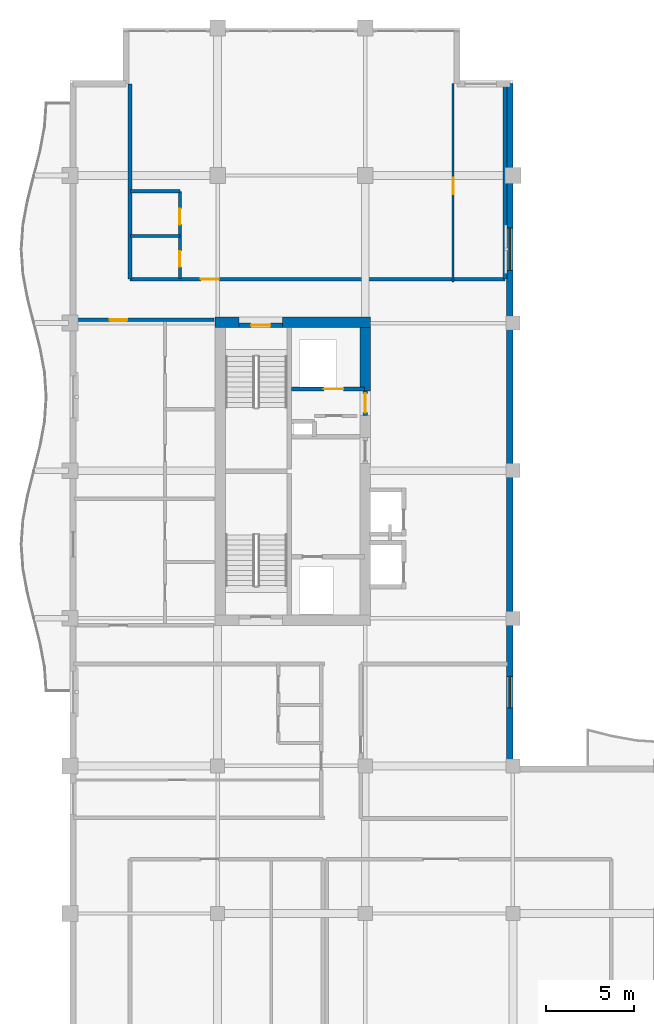
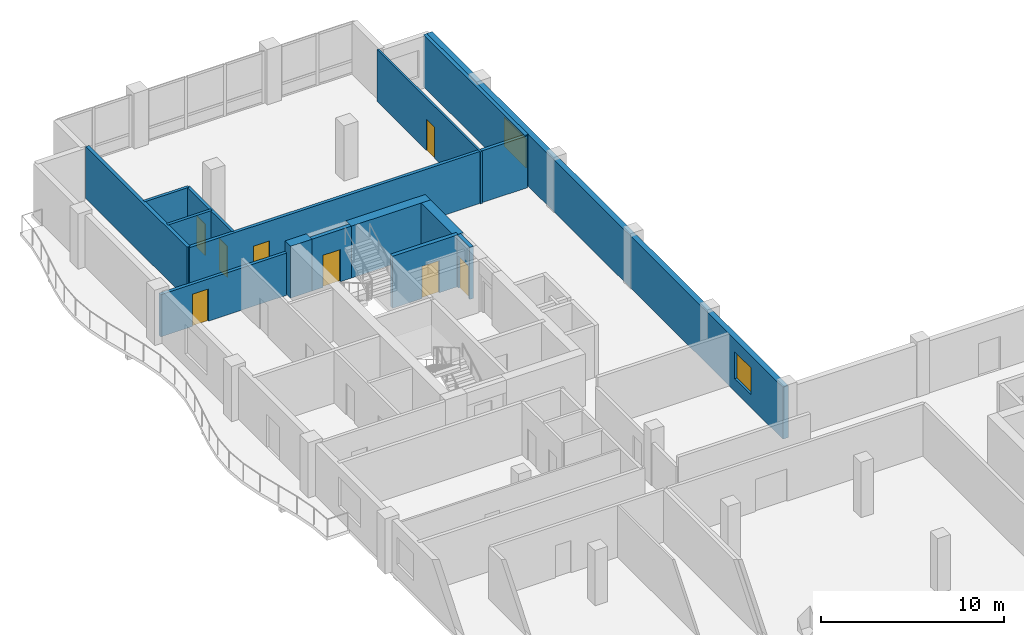
# One storey, part 10 of 16: 15 walls, 8 doors, 2 windows, 10 openings.
"""IFC4 building model written with IfcOpenShell, lengths in metres."""

from ifc_helpers import new_model, si_unit, direction, frame, frame_2d, origin, place, context, subcontext, project, spatial, rectangle, extrude, material, layer, layer_set, type_object, element, fill, save


model = new_model("IFC4")

# Units and contexts
model_context = context("Model", 3, precision=1e-05, world=origin(), true_north=direction((0.0, 1.0)))
body_context = subcontext(model_context, "Body", "Model", "MODEL_VIEW")
ifc_project = project(units=[si_unit("LENGTHUNIT", "METRE"), si_unit("AREAUNIT", "SQUARE_METRE"), si_unit("VOLUMEUNIT", "CUBIC_METRE"), si_unit("PLANEANGLEUNIT", "RADIAN"), si_unit("MASSUNIT", "GRAM", prefix="KILO")], contexts=[model_context])

# Site, building, storey
site_placement = place(None, origin())
site = spatial("IfcSite", under=ifc_project, at=site_placement, CompositionType="ELEMENT")
building_placement = place(site_placement, origin())
building = spatial("IfcBuilding", under=site, at=building_placement, Name="Koriwani Terraces Tower", CompositionType="ELEMENT")
storey_placement = place(building_placement, frame((0.0, 0.0, 267.5)))
storey = spatial("IfcBuildingStorey", under=building, at=storey_placement, Name="L66", CompositionType="ELEMENT", Elevation=267.5)

# Walls
ifc_material_1 = material(Name="Concrete C60/75", Category="concrete")
ifc_layer_1 = layer(ifc_material_1, 0.60009765625, Name="Concrete C60/75")
ifc_layer_set_1 = layer_set([ifc_layer_1], Name="Concrete C60/75")
wall_type_1 = type_object("IfcWallType", Name="WALL_CORE_RC_600", PredefinedType="SHEAR", material=ifc_layer_set_1)
wall_1_placement = place(storey_placement, frame((16.64990234375, 58.85009765625, 0.0), z_axis=(0.0, 0.0, 1.0), x_axis=(1.0, 0.0, 0.0)))
element("IfcWall", 1, at=wall_1_placement, inside=storey, type_object=wall_type_1, Name="L66 West Split Core Shear Wall N1", PredefinedType="SHEAR", context=body_context, shape_type="SweptSolid", body=[
    extrude(rectangle(XDim=1.35009765625, YDim=0.60009765625, at=frame_2d((0.675048828125, 0.0))), origin(), (0.0, 0.0, 1.0), 3.469970703125),
])
wall_2_placement = place(storey_placement, frame((20.5, 58.85009765625, 0.0), z_axis=(0.0, 0.0, 1.0), x_axis=(1.0, 0.0, 0.0)))
element("IfcWall", 2, at=wall_2_placement, inside=storey, type_object=wall_type_1, Name="L66 West Split Core Shear Wall N2", PredefinedType="SHEAR", context=body_context, shape_type="SweptSolid", body=[
    extrude(rectangle(XDim=5.0, YDim=0.60009765625, at=frame_2d((2.5, 0.0))), origin(), (0.0, 0.0, 1.0), 3.469970703125),
])
wall_3_placement = place(storey_placement, frame((25.199951171875, 54.949951171875, 0.0), z_axis=(0.0, 0.0, 1.0), x_axis=(0.0, 1.0, 0.0)))
element("IfcWall", 3, at=wall_3_placement, inside=storey, type_object=wall_type_1, Name="L66 West Split Core Shear Wall E3", PredefinedType="SHEAR", context=body_context, shape_type="SweptSolid", body=[
    extrude(rectangle(XDim=3.60009765625, YDim=0.60009765625, at=frame_2d((1.800048828125, 0.0))), origin(), (0.0, 0.0, 1.0), 3.469970703125),
])

# Wall, opening, door
ifc_material_2 = material(Name="Autoclaved Cellular Concrete Blockwork", Category="masonry")
ifc_layer_2 = layer(ifc_material_2, 0.199951171875, Name="Autoclaved Cellular Concrete Blockwork")
ifc_layer_set_2 = layer_set([ifc_layer_2], Name="Autoclaved Cellular Concrete Blockwork")
wall_type_2 = type_object("IfcWallType", Name="WALL_CORRIDOR_200", PredefinedType="PARTITIONING", material=ifc_layer_set_2)
wall_4_placement = place(storey_placement, frame((8.64990234375, 59.0, 0.0), z_axis=(0.0, 0.0, 1.0), x_axis=(1.0, 0.0, 0.0)))
wall_4 = element("IfcWall", 4, at=wall_4_placement, inside=storey, type_object=wall_type_2, Name="L66 Interior Wall WRZ4-WN-L66", PredefinedType="PARTITIONING", context=body_context, shape_type="SweptSolid", body=[
    extrude(rectangle(XDim=7.9501953125, YDim=0.199951171875, at=frame_2d((3.97509765625, 0.0))), origin(), (0.0, 0.0, 1.0), 2.820068359375),
])
opening_1_placement = place(wall_4_placement, frame((2.0, 0.0, 0.0)))
opening_1 = element("IfcOpeningElement", 5, at=opening_1_placement, cuts=wall_4, Name="Opening D-05", PredefinedType="OPENING", context=body_context, shape_type="SweptSolid", body=[
    extrude(rectangle(XDim=1.0, YDim=2.14990234375, at=frame_2d((0.5, 1.074951171875))), frame((0.0, 0.10986328125, 0.0), z_axis=(0.0, -1.0, 0.0), x_axis=(1.0, 0.0, 0.0)), (0.0, 0.0, 1.0), 0.219970703125),
])
ifc_material_3 = material(Name="Architectural Oak Fire Door", Category="wood")
door_type_1 = type_object("IfcDoorType", Name="DOOR_SUITE_ENTRY_1000X2150", OperationType="NOTDEFINED", PredefinedType="DOOR", material=ifc_material_3)
door_1_placement = place(opening_1_placement, origin())
door_1 = element("IfcDoor", 6, at=door_1_placement, inside=storey, type_object=door_type_1, Name="Apartment 66RW2 Entrance Door", OperationType="SINGLE_SWING_RIGHT", OverallHeight=2.14990234375, OverallWidth=1.0, PredefinedType="DOOR", context=body_context, shape_type="SweptSolid", body=[
    extrude(rectangle(XDim=1.0, YDim=2.14990234375, at=frame_2d((0.5, 1.074951171875))), frame((0.0, 0.02490234375, 0.0), z_axis=(0.0, -1.0, 0.0), x_axis=(1.0, 0.0, 0.0)), (0.0, 0.0, 1.0), 0.050048828125),
])
fill(opening_1, door_1)

wall_5_placement = place(storey_placement, frame((11.800048828125, 61.300048828125, 0.0), z_axis=(0.0, 0.0, 1.0), x_axis=(1.0, 0.0, 0.0)))
wall_5 = element("IfcWall", 7, at=wall_5_placement, inside=storey, type_object=wall_type_2, Name="L66 Interior Wall WGB-L66-NT-S", PredefinedType="PARTITIONING", context=body_context, shape_type="SweptSolid", body=[
    extrude(rectangle(XDim=21.349853515625, YDim=0.199951171875, at=frame_2d((10.6748046875, 0.0))), origin(), (0.0, 0.0, 1.0), 3.469970703125),
])
opening_2_placement = place(wall_5_placement, frame((4.050048828125, 0.0, 0.0)))
opening_2 = element("IfcOpeningElement", 8, at=opening_2_placement, cuts=wall_5, Name="Opening D-05", PredefinedType="OPENING", context=body_context, shape_type="SweptSolid", body=[
    extrude(rectangle(XDim=1.0, YDim=2.14990234375, at=frame_2d((0.5, 1.074951171875))), frame((0.0, 0.10986328125, 0.0), z_axis=(0.0, -1.0, 0.0), x_axis=(1.0, 0.0, 0.0)), (0.0, 0.0, 1.0), 0.219970703125),
])
door_2_placement = place(opening_2_placement, origin())
door_2 = element("IfcDoor", 9, at=door_2_placement, inside=storey, type_object=door_type_1, Name="Apartment 66NT Entrance Door", OperationType="SINGLE_SWING_RIGHT", OverallHeight=2.14990234375, OverallWidth=1.0, PredefinedType="DOOR", context=body_context, shape_type="SweptSolid", body=[
    extrude(rectangle(XDim=1.0, YDim=2.14990234375, at=frame_2d((0.5, 1.074951171875))), frame((0.0, 0.02490234375, 0.0), z_axis=(0.0, -1.0, 0.0), x_axis=(1.0, 0.0, 0.0)), (0.0, 0.0, 1.0), 0.050048828125),
])
fill(opening_2, door_2)

# Walls
ifc_layer_3 = layer(ifc_material_2, 0.219970703125, Name="Autoclaved Cellular Concrete Blockwork")
ifc_layer_set_3 = layer_set([ifc_layer_3], Name="Autoclaved Cellular Concrete Blockwork")
wall_type_3 = type_object("IfcWallType", Name="WALL_DEMISING_220", PredefinedType="PARTITIONING", material=ifc_layer_set_3)
for number, where, z_axis, x_axis, name in (
    (10, (33.14990234375, 61.300048828125, 0.0), (0.0, 0.0, 1.0), (0.0, 1.0, 0.0), "L66 Interior Wall WGB-L66-NT-E"),
    (11, (11.800048828125, 61.300048828125, 0.0), (0.0, 0.0, 1.0), (0.0, 1.0, 0.0), "L66 Interior Wall WGB-L66-NT-W"),
):
    element("IfcWall", number, at=place(storey_placement, frame(where, z_axis=z_axis, x_axis=x_axis)), inside=storey, type_object=wall_type_3, Name=name, PredefinedType="PARTITIONING", context=body_context, shape_type="SweptSolid", body=[
        extrude(rectangle(XDim=11.099853515625, YDim=0.219970703125, at=frame_2d((5.5498046875, 0.0))), origin(), (0.0, 0.0, 1.0), 3.469970703125),
    ])

# Wall, openings, windows
ifc_material_4 = material(Name="Concrete C50/60", Category="concrete")
ifc_layer_4 = layer(ifc_material_4, 0.35009765625, Name="Concrete C50/60")
ifc_layer_set_4 = layer_set([ifc_layer_4], Name="Concrete C50/60")
wall_type_4 = type_object("IfcWallType", Name="WALL_EXT_BRUTALIST_350", PredefinedType="STANDARD", material=ifc_layer_set_4)
wall_6_placement = place(storey_placement, frame((33.425048828125, 72.425048828125, 0.0), z_axis=(0.0, 0.0, 1.0), x_axis=(0.0, -1.0, 0.0)))
wall_6 = element("IfcWall", 12, at=wall_6_placement, inside=storey, type_object=wall_type_4, Name="L66 Fair-Faced Brutalist Exterior Wall (NW_IN)", PredefinedType="STANDARD", context=body_context, shape_type="SweptSolid", body=[
    extrude(rectangle(XDim=39.0, YDim=0.35009765625, at=frame_2d((19.5, 0.0))), origin(), (0.0, 0.0, 1.0), 3.469970703125),
])
opening_3_placement = place(wall_6_placement, frame((33.72509765625, 0.0, 0.85009765625)))
opening_3 = element("IfcOpeningElement", 13, at=opening_3_placement, cuts=wall_6, Name="Opening W-04", PredefinedType="OPENING", context=body_context, shape_type="SweptSolid", body=[
    extrude(rectangle(XDim=1.800048828125, YDim=1.800048828125, at=frame_2d((0.89990234375, 0.89990234375))), frame((0.0, 0.18505859375, 0.0), z_axis=(0.0, -1.0, 0.0), x_axis=(1.0, 0.0, 0.0)), (0.0, 0.0, 1.0), 0.3701171875),
])
opening_4_placement = place(wall_6_placement, frame((8.22509765625, 0.0, 0.85009765625)))
opening_4 = element("IfcOpeningElement", 14, at=opening_4_placement, cuts=wall_6, Name="Opening W-03", PredefinedType="OPENING", context=body_context, shape_type="SweptSolid", body=[
    extrude(rectangle(XDim=2.39990234375, YDim=1.949951171875, at=frame_2d((1.199951171875, 0.97509765625))), frame((0.0, 0.18505859375, 0.0), z_axis=(0.0, -1.0, 0.0), x_axis=(1.0, 0.0, 0.0)), (0.0, 0.0, 1.0), 0.3701171875),
])
ifc_material_5 = material(Name="Tempered Laminated Low-E Glass", Category="glass")
window_type_1 = type_object("IfcWindowType", Name="WIN_RES_BED_1800X1800", PartitioningType="DOUBLE_PANEL_VERTICAL", PredefinedType="WINDOW", material=ifc_material_5)
window_1_placement = place(opening_3_placement, origin())
window_1 = element("IfcWindow", 15, at=window_1_placement, inside=storey, type_object=window_type_1, Name="L66 Exterior Window (NW_IN-2)", OverallHeight=1.800048828125, OverallWidth=1.800048828125, PartitioningType="SINGLE_PANEL", PredefinedType="WINDOW", context=body_context, shape_type="SweptSolid", body=[
    extrude(rectangle(XDim=1.800048828125, YDim=1.800048828125, at=frame_2d((0.89990234375, 0.89990234375))), frame((0.0, 0.030029296875, 0.0), z_axis=(0.0, -1.0, 0.0), x_axis=(1.0, 0.0, 0.0)), (0.0, 0.0, 1.0), 0.06005859375),
])
fill(opening_3, window_1)
window_type_2 = type_object("IfcWindowType", Name="WIN_RES_LIVING_2400X1950", PartitioningType="DOUBLE_PANEL_VERTICAL", PredefinedType="WINDOW", material=ifc_material_5)
window_2_placement = place(opening_4_placement, origin())
window_2 = element("IfcWindow", 16, at=window_2_placement, inside=storey, type_object=window_type_2, Name="L66 Exterior Window (NW_IN-11)", OverallHeight=1.949951171875, OverallWidth=2.39990234375, PartitioningType="SINGLE_PANEL", PredefinedType="WINDOW", context=body_context, shape_type="SweptSolid", body=[
    extrude(rectangle(XDim=2.39990234375, YDim=1.949951171875, at=frame_2d((1.199951171875, 0.97509765625))), frame((0.0, 0.030029296875, 0.0), z_axis=(0.0, -1.0, 0.0), x_axis=(1.0, 0.0, 0.0)), (0.0, 0.0, 1.0), 0.06005859375),
])
fill(opening_4, window_2)

# Wall, opening, door
ifc_material_6 = material(Name="Fire-Rated Acoustic Gypsum Partition", Category="masonry")
ifc_layer_5 = layer(ifc_material_6, 0.125, Name="Fire-Rated Acoustic Gypsum Partition")
ifc_layer_set_5 = layer_set([ifc_layer_5], Name="Fire-Rated Acoustic Gypsum Partition")
wall_type_5 = type_object("IfcWallType", Name="WALL_INT_125", PredefinedType="PARTITIONING", material=ifc_layer_set_5)
wall_7_placement = place(storey_placement, frame((30.199951171875, 61.14990234375, 0.0), z_axis=(0.0, 0.0, 1.0), x_axis=(0.0, 1.0, 0.0)))
wall_7 = element("IfcWall", 17, at=wall_7_placement, inside=storey, type_object=wall_type_5, Name="L66 Interior Wall WGB-L66-NT-BD", PredefinedType="PARTITIONING", context=body_context, shape_type="SweptSolid", body=[
    extrude(rectangle(XDim=11.300048828125, YDim=0.125, at=frame_2d((5.64990234375, 0.0))), origin(), (0.0, 0.0, 1.0), 3.469970703125),
])
opening_5_placement = place(wall_7_placement, frame((4.9951171875, 0.0, 0.0)))
opening_5 = element("IfcOpeningElement", 18, at=opening_5_placement, cuts=wall_7, Name="Opening D-06", PredefinedType="OPENING", context=body_context, shape_type="SweptSolid", body=[
    extrude(rectangle(XDim=0.919921875, YDim=2.10009765625, at=frame_2d((0.4599609375, 1.050048828125))), frame((0.0, 0.072509765625, 0.0), z_axis=(0.0, -1.0, 0.0), x_axis=(1.0, 0.0, 0.0)), (0.0, 0.0, 1.0), 0.14501953125),
])
door_type_2 = type_object("IfcDoorType", Name="DOOR_ROOM_INT_920X2100", OperationType="NOTDEFINED", PredefinedType="DOOR", material=ifc_material_3)
door_3_placement = place(opening_5_placement, origin())
door_3 = element("IfcDoor", 19, at=door_3_placement, inside=storey, type_object=door_type_2, Name="Apartment 66NT Master Suite Door", OperationType="SINGLE_SWING_LEFT", OverallHeight=2.10009765625, OverallWidth=0.919921875, PredefinedType="DOOR", context=body_context, shape_type="SweptSolid", body=[
    extrude(rectangle(XDim=0.919921875, YDim=2.10009765625, at=frame_2d((0.4599609375, 1.050048828125))), frame((0.0, 0.02490234375, 0.0), z_axis=(0.0, -1.0, 0.0), x_axis=(1.0, 0.0, 0.0)), (0.0, 0.0, 1.0), 0.050048828125),
])
fill(opening_5, door_3)

# Wall, openings, doors
ifc_layer_6 = layer(ifc_material_6, 0.179931640625, Name="Fire-Rated Acoustic Gypsum Partition")
ifc_layer_set_6 = layer_set([ifc_layer_6], Name="Fire-Rated Acoustic Gypsum Partition")
wall_type_6 = type_object("IfcWallType", Name="WALL_PLUMBING_180", PredefinedType="PLUMBINGWALL", material=ifc_layer_set_6)
wall_8_placement = place(storey_placement, frame((14.64990234375, 61.35009765625, 0.0), z_axis=(0.0, 0.0, 1.0), x_axis=(0.0, 1.0, 0.0)))
wall_8 = element("IfcWall", 20, at=wall_8_placement, inside=storey, type_object=wall_type_6, Name="L66 Interior Wall WGB-L66-NT-SVB", PredefinedType="PLUMBINGWALL", context=body_context, shape_type="SweptSolid", body=[
    extrude(rectangle(XDim=4.949951171875, YDim=0.179931640625, at=frame_2d((2.47509765625, 0.0))), origin(), (0.0, 0.0, 1.0), 3.469970703125),
])
opening_6_placement = place(wall_8_placement, frame((0.64990234375, 0.0, 0.0)))
opening_6 = element("IfcOpeningElement", 21, at=opening_6_placement, cuts=wall_8, Name="Opening D-07", PredefinedType="OPENING", context=body_context, shape_type="SweptSolid", body=[
    extrude(rectangle(XDim=0.89990234375, YDim=2.10009765625, at=frame_2d((0.449951171875, 1.050048828125))), frame((0.0, 0.10009765625, 0.0), z_axis=(0.0, -1.0, 0.0), x_axis=(1.0, 0.0, 0.0)), (0.0, 0.0, 1.0), 0.199951171875),
])
opening_7_placement = place(wall_8_placement, frame((3.050048828125, 0.0, 0.0)))
opening_7 = element("IfcOpeningElement", 22, at=opening_7_placement, cuts=wall_8, Name="Opening D-06", PredefinedType="OPENING", context=body_context, shape_type="SweptSolid", body=[
    extrude(rectangle(XDim=0.919921875, YDim=2.10009765625, at=frame_2d((0.4599609375, 1.050048828125))), frame((0.0, 0.10009765625, 0.0), z_axis=(0.0, -1.0, 0.0), x_axis=(1.0, 0.0, 0.0)), (0.0, 0.0, 1.0), 0.199951171875),
])
door_type_3 = type_object("IfcDoorType", Name="DOOR_BATH_INT_900X2100", OperationType="NOTDEFINED", PredefinedType="DOOR", material=ifc_material_3)
door_4_placement = place(opening_6_placement, origin())
door_4 = element("IfcDoor", 23, at=door_4_placement, inside=storey, type_object=door_type_3, Name="Apartment 66NT Bathroom Door", OperationType="SINGLE_SWING_LEFT", OverallHeight=2.10009765625, OverallWidth=0.89990234375, PredefinedType="DOOR", context=body_context, shape_type="SweptSolid", body=[
    extrude(rectangle(XDim=0.89990234375, YDim=2.10009765625, at=frame_2d((0.449951171875, 1.050048828125))), frame((0.0, 0.02490234375, 0.0), z_axis=(0.0, -1.0, 0.0), x_axis=(1.0, 0.0, 0.0)), (0.0, 0.0, 1.0), 0.050048828125),
])
fill(opening_6, door_4)
door_5_placement = place(opening_7_placement, origin())
door_5 = element("IfcDoor", 24, at=door_5_placement, inside=storey, type_object=door_type_2, Name="Apartment 66NT Kitchen Door", OperationType="SINGLE_SWING_RIGHT", OverallHeight=2.10009765625, OverallWidth=0.919921875, PredefinedType="DOOR", context=body_context, shape_type="SweptSolid", body=[
    extrude(rectangle(XDim=0.919921875, YDim=2.10009765625, at=frame_2d((0.4599609375, 1.050048828125))), frame((0.0, 0.02490234375, 0.0), z_axis=(0.0, -1.0, 0.0), x_axis=(1.0, 0.0, 0.0)), (0.0, 0.0, 1.0), 0.050048828125),
])
fill(opening_7, door_5)

# Walls
for number, where, z_axis, x_axis, name in (
    (25, (11.85009765625, 63.75, 0.0), (0.0, 0.0, 1.0), (1.0, 0.0, 0.0), "L66 Interior Wall WGB-L66-NT-SVM"),
    (26, (11.85009765625, 66.300048828125, 0.0), (0.0, 0.0, 1.0), (1.0, 0.0, 0.0), "L66 Interior Wall WGB-L66-NT-SV2"),
):
    element("IfcWall", number, at=place(storey_placement, frame(where, z_axis=z_axis, x_axis=x_axis)), inside=storey, type_object=wall_type_6, Name=name, PredefinedType="PLUMBINGWALL", context=body_context, shape_type="SweptSolid", body=[
        extrude(rectangle(XDim=2.7998046875, YDim=0.179931640625, at=frame_2d((1.39990234375, 0.0))), origin(), (0.0, 0.0, 1.0), 3.469970703125),
    ])

# Wall, opening, door
ifc_material_7 = material(Name="Concrete C40/50", Category="concrete")
ifc_layer_7 = layer(ifc_material_7, 0.25, Name="Concrete C40/50")
ifc_layer_set_7 = layer_set([ifc_layer_7], Name="Concrete C40/50")
wall_type_7 = type_object("IfcWallType", Name="WALL_SHAFT_RATED_250", PredefinedType="SOLIDWALL", material=ifc_layer_set_7)
wall_9_placement = place(storey_placement, frame((18.0, 58.675048828125, 0.0), z_axis=(0.0, 0.0, 1.0), x_axis=(1.0, 0.0, 0.0)))
wall_9 = element("IfcWall", 27, at=wall_9_placement, inside=storey, type_object=wall_type_7, Name="L66 Interior Wall WIN-CW-L66-STN", PredefinedType="SOLIDWALL", context=body_context, shape_type="SweptSolid", body=[
    extrude(rectangle(XDim=2.5, YDim=0.25, at=frame_2d((1.25, 0.0))), origin(), (0.0, 0.0, 1.0), 3.469970703125),
])
opening_8_placement = place(wall_9_placement, frame((0.699951171875, 0.0, 0.0)))
opening_8 = element("IfcOpeningElement", 28, at=opening_8_placement, cuts=wall_9, Name="Opening D-03", PredefinedType="OPENING", context=body_context, shape_type="SweptSolid", body=[
    extrude(rectangle(XDim=1.10009765625, YDim=2.14990234375, at=frame_2d((0.550048828125, 1.074951171875))), frame((0.0, 0.135009765625, 0.0), z_axis=(0.0, -1.0, 0.0), x_axis=(1.0, 0.0, 0.0)), (0.0, 0.0, 1.0), 0.27001953125),
])
ifc_material_8 = material(Name="Steel ASTM A572 Grade 50", Category="steel")
door_type_4 = type_object("IfcDoorType", Name="DOOR_STAIR_FIRE_1100X2150", OperationType="NOTDEFINED", PredefinedType="DOOR", material=ifc_material_8)
door_6_placement = place(opening_8_placement, origin())
door_6 = element("IfcDoor", 29, at=door_6_placement, inside=storey, type_object=door_type_4, Name="L66 Exit Stair ST-W2 Door", OperationType="SINGLE_SWING_LEFT", OverallHeight=2.14990234375, OverallWidth=1.10009765625, PredefinedType="DOOR", context=body_context, shape_type="SweptSolid", body=[
    extrude(rectangle(XDim=1.10009765625, YDim=2.14990234375, at=frame_2d((0.550048828125, 1.074951171875))), frame((0.0, 0.02490234375, 0.0), z_axis=(0.0, -1.0, 0.0), x_axis=(1.0, 0.0, 0.0)), (0.0, 0.0, 1.0), 0.050048828125),
])
fill(opening_8, door_6)

wall_10_placement = place(storey_placement, frame((21.0, 55.050048828125, 0.0), z_axis=(0.0, 0.0, 1.0), x_axis=(1.0, 0.0, 0.0)))
wall_10 = element("IfcWall", 30, at=wall_10_placement, inside=storey, type_object=wall_type_7, Name="L66 Interior Wall WIN-CW-L66-SE", PredefinedType="SOLIDWALL", context=body_context, shape_type="SweptSolid", body=[
    extrude(rectangle(XDim=4.14990234375, YDim=0.25, at=frame_2d((2.074951171875, 0.0))), origin(), (0.0, 0.0, 1.0), 3.469970703125),
])
opening_9_placement = place(wall_10_placement, frame((1.85009765625, 0.0, 0.0)))
opening_9 = element("IfcOpeningElement", 31, at=opening_9_placement, cuts=wall_10, Name="Opening LD-01", PredefinedType="OPENING", context=body_context, shape_type="SweptSolid", body=[
    extrude(rectangle(XDim=1.10009765625, YDim=2.14990234375, at=frame_2d((0.550048828125, 1.074951171875))), frame((0.0, 0.135009765625, 0.0), z_axis=(0.0, -1.0, 0.0), x_axis=(1.0, 0.0, 0.0)), (0.0, 0.0, 1.0), 0.27001953125),
])
door_type_5 = type_object("IfcDoorType", Name="DOOR_LIFT_LANDING_1100X2200", OperationType="NOTDEFINED", PredefinedType="DOOR", material=ifc_material_8)
door_7_placement = place(opening_9_placement, origin())
door_7 = element("IfcDoor", 32, at=door_7_placement, inside=storey, type_object=door_type_5, Name="L66 Goods Lift SE-01 Landing Door", OperationType="SLIDING_TO_LEFT", OverallHeight=2.14990234375, OverallWidth=1.10009765625, PredefinedType="DOOR", context=body_context, shape_type="SweptSolid", body=[
    extrude(rectangle(XDim=1.10009765625, YDim=2.14990234375, at=frame_2d((0.550048828125, 1.074951171875))), frame((0.0, 0.02490234375, 0.0), z_axis=(0.0, -1.0, 0.0), x_axis=(1.0, 0.0, 0.0)), (0.0, 0.0, 1.0), 0.050048828125),
])
fill(opening_9, door_7)

wall_11_placement = place(storey_placement, frame((25.199951171875, 53.550048828125, 0.0), z_axis=(0.0, 0.0, 1.0), x_axis=(0.0, 1.0, 0.0)))
wall_11 = element("IfcWall", 33, at=wall_11_placement, inside=storey, type_object=wall_type_7, Name="L66 Interior Wall WIN-CW-L66-EP2", PredefinedType="SOLIDWALL", context=body_context, shape_type="SweptSolid", body=[
    extrude(rectangle(XDim=1.39990234375, YDim=0.25, at=frame_2d((0.699951171875, 0.0))), origin(), (0.0, 0.0, 1.0), 3.469970703125),
])
opening_10_placement = place(wall_11_placement, frame((0.14990234375, 0.0, 0.0)))
opening_10 = element("IfcOpeningElement", 34, at=opening_10_placement, cuts=wall_11, Name="Opening D-03", PredefinedType="OPENING", context=body_context, shape_type="SweptSolid", body=[
    extrude(rectangle(XDim=1.10009765625, YDim=2.14990234375, at=frame_2d((0.550048828125, 1.074951171875))), frame((0.0, 0.135009765625, 0.0), z_axis=(0.0, -1.0, 0.0), x_axis=(1.0, 0.0, 0.0)), (0.0, 0.0, 1.0), 0.27001953125),
])
door_8_placement = place(opening_10_placement, origin())
door_8 = element("IfcDoor", 35, at=door_8_placement, inside=storey, type_object=door_type_4, Name="L66 West Goods Lift Lobby Door", OperationType="SINGLE_SWING_LEFT", OverallHeight=2.14990234375, OverallWidth=1.10009765625, PredefinedType="DOOR", context=body_context, shape_type="SweptSolid", body=[
    extrude(rectangle(XDim=1.10009765625, YDim=2.14990234375, at=frame_2d((0.550048828125, 1.074951171875))), frame((0.0, 0.02490234375, 0.0), z_axis=(0.0, -1.0, 0.0), x_axis=(1.0, 0.0, 0.0)), (0.0, 0.0, 1.0), 0.050048828125),
])
fill(opening_10, door_8)

save(model, "model.ifc")
